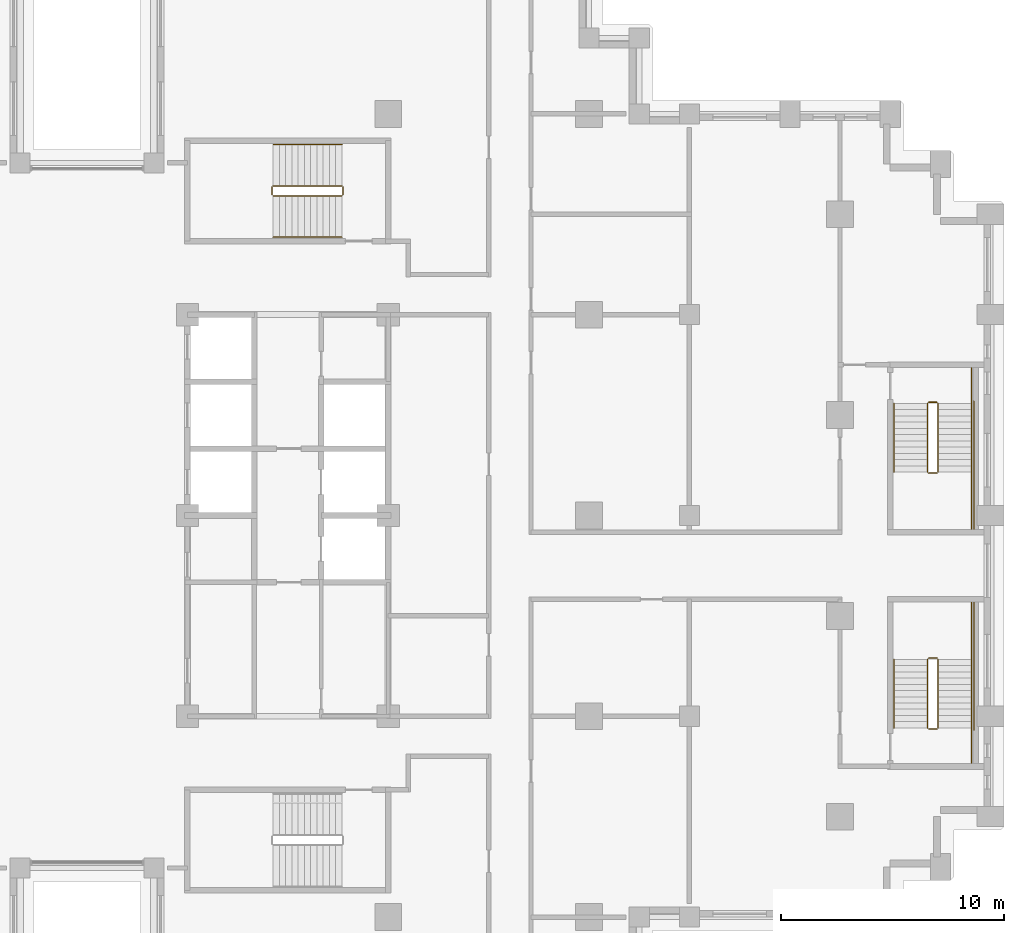
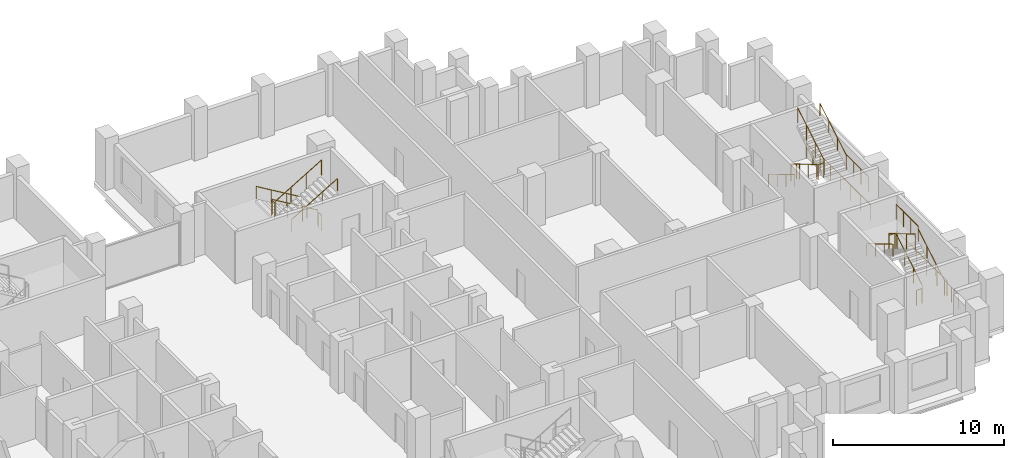
# One storey, part 15 of 15: 3 railings.
"""IFC4 building model written with IfcOpenShell, lengths in metres."""

from ifc_helpers import new_model, si_unit, direction, frame, origin, origin_2d, place, context, subcontext, project, spatial, circle, extrude, material, type_object, element, save


model = new_model("IFC4")

# Units and contexts
model_context = context("Model", 3, precision=1e-05, world=origin(), true_north=direction((0.0, 1.0)))
body_context = subcontext(model_context, "Body", "Model", "MODEL_VIEW")
ifc_project = project(units=[si_unit("LENGTHUNIT", "METRE"), si_unit("AREAUNIT", "SQUARE_METRE"), si_unit("VOLUMEUNIT", "CUBIC_METRE"), si_unit("PLANEANGLEUNIT", "RADIAN"), si_unit("MASSUNIT", "GRAM", prefix="KILO")], contexts=[model_context])

# Site, building, storey
site_placement = place(None, origin())
site = spatial("IfcSite", under=ifc_project, at=site_placement, CompositionType="ELEMENT")
building_placement = place(site_placement, origin())
building = spatial("IfcBuilding", under=site, at=building_placement, Name="Corbelhall Arena Tower", CompositionType="ELEMENT")
storey_placement = place(building_placement, frame((0.0, 0.0, 96.0)))
storey = spatial("IfcBuildingStorey", under=building, at=storey_placement, Name="L16", CompositionType="ELEMENT", Elevation=96.0)

# Railings
ifc_material = material(Name="Steel ASTM A500 Gr C", Category="steel")
railing_type = type_object("IfcRailingType", Name="IN-GD-1100", PredefinedType="GUARDRAIL", material=ifc_material)
railing_1_placement = place(storey_placement, frame((11.425048828125, 14.77490234375, 0.166748046875)))
element("IfcRailing", 1, at=railing_1_placement, inside=storey, type_object=railing_type, Name="L16 ST3 stair guards and handrails", PredefinedType="GUARDRAIL", context=body_context, shape_type="SweptSolid", body=[
    extrude(circle(Radius=0.02392578125, at=origin_2d()), frame((0.0, 0.0, 1.076171875), z_axis=(-0.859308565015, 0.0, 0.511457515432), x_axis=(0.0, -1.0, 0.0)), (0.0, 0.0, 1.0), 3.58447265625),
    extrude(circle(Radius=0.02392578125, at=origin_2d()), frame((-3.130126953125, -0.0498046875, 2.9091796875), z_axis=(0.0, -1.0, 0.0), x_axis=(1.0, 0.0, 0.0)), (0.0, 0.0, 1.0), 0.35009765625),
    extrude(circle(Radius=0.02392578125, at=origin_2d()), frame((-3.080078125, -0.449951171875, 3.076171875), z_axis=(0.859308565015, 0.0, 0.511457515432), x_axis=(0.0, 1.0, 0.0)), (0.0, 0.0, 1.0), 3.58447265625),
    extrude(circle(Radius=0.02392578125, at=origin_2d()), frame((0.050048828125, -0.0498046875, 0.9091796875), z_axis=(0.0, -1.0, 0.0), x_axis=(1.0, 0.0, 0.0)), (0.0, 0.0, 1.0), 0.35009765625),
    extrude(circle(Radius=0.02392578125, at=origin_2d()), frame((0.0, 1.85009765625, 0.8759765625), z_axis=(-0.859308565015, 0.0, 0.511457515432), x_axis=(0.0, -1.0, 0.0)), (0.0, 0.0, 1.0), 3.58447265625),
    extrude(circle(Radius=0.02392578125, at=origin_2d()), frame((-3.080078125, -2.2998046875, 2.8759765625), z_axis=(0.859308565015, 0.0, 0.511457515432), x_axis=(0.0, 1.0, 0.0)), (0.0, 0.0, 1.0), 3.58447265625),
    extrude(circle(Radius=0.02099609375, at=origin_2d()), origin(), (0.0, 0.0, 1.0), 1.052001953125),
    extrude(circle(Radius=0.02099609375, at=origin_2d()), frame((-1.026611328125, 0.0, 0.611083984375)), (0.0, 0.0, 1.0), 1.052001953125),
    extrude(circle(Radius=0.02099609375, at=origin_2d()), frame((-2.053466796875, 0.0, 1.22216796875)), (0.0, 0.0, 1.0), 1.052001953125),
    extrude(circle(Radius=0.02099609375, at=origin_2d()), frame((-3.080078125, 0.0, 1.833251953125)), (0.0, 0.0, 1.0), 1.052001953125),
    extrude(circle(Radius=0.02099609375, at=origin_2d()), frame((-3.130126953125, -0.0498046875, 1.833251953125)), (0.0, 0.0, 1.0), 1.052001953125),
    extrude(circle(Radius=0.02099609375, at=origin_2d()), frame((-3.130126953125, -0.39990234375, 1.833251953125)), (0.0, 0.0, 1.0), 1.052001953125),
    extrude(circle(Radius=0.02099609375, at=origin_2d()), frame((-3.080078125, -0.449951171875, 2.0)), (0.0, 0.0, 1.0), 1.052001953125),
    extrude(circle(Radius=0.02099609375, at=origin_2d()), frame((-2.053466796875, -0.449951171875, 2.611083984375)), (0.0, 0.0, 1.0), 1.052001953125),
    extrude(circle(Radius=0.02099609375, at=origin_2d()), frame((-1.026611328125, -0.449951171875, 3.22216796875)), (0.0, 0.0, 1.0), 1.052001953125),
    extrude(circle(Radius=0.02099609375, at=origin_2d()), frame((0.0, -0.449951171875, 3.833251953125)), (0.0, 0.0, 1.0), 1.052001953125),
    extrude(circle(Radius=0.02099609375, at=origin_2d()), frame((0.050048828125, -0.0498046875, -0.166748046875)), (0.0, 0.0, 1.0), 1.052001953125),
    extrude(circle(Radius=0.02099609375, at=origin_2d()), frame((0.050048828125, -0.39990234375, -0.166748046875)), (0.0, 0.0, 1.0), 1.052001953125),
    extrude(circle(Radius=0.02099609375, at=origin_2d()), frame((0.0, 1.85009765625, 0.0)), (0.0, 0.0, 1.0), 0.851806640625),
    extrude(circle(Radius=0.02099609375, at=origin_2d()), frame((-1.026611328125, 1.85009765625, 0.611083984375)), (0.0, 0.0, 1.0), 0.851806640625),
    extrude(circle(Radius=0.02099609375, at=origin_2d()), frame((-2.053466796875, 1.85009765625, 1.22216796875)), (0.0, 0.0, 1.0), 0.851806640625),
    extrude(circle(Radius=0.02099609375, at=origin_2d()), frame((-3.080078125, 1.85009765625, 1.833251953125)), (0.0, 0.0, 1.0), 0.851806640625),
    extrude(circle(Radius=0.02099609375, at=origin_2d()), frame((-3.080078125, -2.2998046875, 2.0)), (0.0, 0.0, 1.0), 0.851806640625),
    extrude(circle(Radius=0.02099609375, at=origin_2d()), frame((-2.053466796875, -2.2998046875, 2.611083984375)), (0.0, 0.0, 1.0), 0.851806640625),
    extrude(circle(Radius=0.02099609375, at=origin_2d()), frame((-1.026611328125, -2.2998046875, 3.22216796875)), (0.0, 0.0, 1.0), 0.851806640625),
    extrude(circle(Radius=0.02099609375, at=origin_2d()), frame((0.0, -2.2998046875, 3.833251953125)), (0.0, 0.0, 1.0), 0.851806640625),
])
railing_2_placement = place(storey_placement, frame((38.14990234375, -9.52490234375, 0.166748046875)))
element("IfcRailing", 2, at=railing_2_placement, inside=storey, type_object=railing_type, Name="L16 SD1 stair guards and handrails", PredefinedType="GUARDRAIL", context=body_context, shape_type="SweptSolid", body=[
    extrude(circle(Radius=0.02392578125, at=origin_2d()), frame((0.0, 0.0, 1.076171875), z_axis=(0.0, 0.859290745958, 0.51148745235), x_axis=(-1.0, 0.0, 0.0)), (0.0, 0.0, 1.0), 3.584228515625),
    extrude(circle(Radius=0.02392578125, at=origin_2d()), frame((-0.0498046875, 3.1298828125, 2.9091796875), z_axis=(-1.0, 0.0, 0.0), x_axis=(0.0, -1.0, 0.0)), (0.0, 0.0, 1.0), 0.375),
    extrude(circle(Radius=0.02392578125, at=origin_2d()), frame((1.5, 3.079833984375, 2.9091796875), z_axis=(0.0, 1.0, 0.0), x_axis=(-1.0, 0.0, 0.0)), (0.0, 0.0, 1.0), 2.570068359375),
    extrude(circle(Radius=0.02392578125, at=origin_2d()), frame((-0.474853515625, 3.079833984375, 3.076171875), z_axis=(0.0, -0.859290745958, 0.51148745235), x_axis=(1.0, 0.0, 0.0)), (0.0, 0.0, 1.0), 3.584228515625),
    extrude(circle(Radius=0.02392578125, at=origin_2d()), frame((-0.0498046875, -0.050048828125, 0.9091796875), z_axis=(-1.0, 0.0, 0.0), x_axis=(0.0, -1.0, 0.0)), (0.0, 0.0, 1.0), 0.375),
    extrude(circle(Radius=0.02392578125, at=origin_2d()), frame((1.5, -1.60009765625, 0.9091796875), z_axis=(0.0, 1.0, 0.0), x_axis=(-1.0, 0.0, 0.0)), (0.0, 0.0, 1.0), 1.60009765625),
    extrude(circle(Radius=0.02392578125, at=origin_2d()), frame((1.60009765625, -0.10009765625, 0.9091796875), z_axis=(0.0, 1.0, 0.0), x_axis=(-1.0, 0.0, 0.0)), (0.0, 0.0, 1.0), 5.85009765625),
    extrude(circle(Radius=0.02392578125, at=origin_2d()), frame((1.5, 0.0, 0.8759765625), z_axis=(0.0, 0.859290745958, 0.51148745235), x_axis=(-1.0, 0.0, 0.0)), (0.0, 0.0, 1.0), 3.584228515625),
    extrude(circle(Radius=0.02392578125, at=origin_2d()), frame((-1.974853515625, 3.079833984375, 2.8759765625), z_axis=(0.0, -0.859290745958, 0.51148745235), x_axis=(1.0, 0.0, 0.0)), (0.0, 0.0, 1.0), 3.584228515625),
    extrude(circle(Radius=0.02099609375, at=origin_2d()), origin(), (0.0, 0.0, 1.0), 1.052001953125),
    extrude(circle(Radius=0.02099609375, at=origin_2d()), frame((0.0, 1.026611328125, 0.611083984375)), (0.0, 0.0, 1.0), 1.052001953125),
    extrude(circle(Radius=0.02099609375, at=origin_2d()), frame((0.0, 2.05322265625, 1.22216796875)), (0.0, 0.0, 1.0), 1.052001953125),
    extrude(circle(Radius=0.02099609375, at=origin_2d()), frame((0.0, 3.079833984375, 1.833251953125)), (0.0, 0.0, 1.0), 1.052001953125),
    extrude(circle(Radius=0.02099609375, at=origin_2d()), frame((-0.0498046875, 3.1298828125, 1.833251953125)), (0.0, 0.0, 1.0), 1.052001953125),
    extrude(circle(Radius=0.02099609375, at=origin_2d()), frame((-0.4248046875, 3.1298828125, 1.833251953125)), (0.0, 0.0, 1.0), 1.052001953125),
    extrude(circle(Radius=0.02099609375, at=origin_2d()), frame((1.5, 3.079833984375, 1.833251953125)), (0.0, 0.0, 1.0), 1.052001953125),
    extrude(circle(Radius=0.02099609375, at=origin_2d()), frame((1.5, 3.9365234375, 1.833251953125)), (0.0, 0.0, 1.0), 1.052001953125),
    extrude(circle(Radius=0.02099609375, at=origin_2d()), frame((1.5, 4.793212890625, 1.833251953125)), (0.0, 0.0, 1.0), 1.052001953125),
    extrude(circle(Radius=0.02099609375, at=origin_2d()), frame((1.5, 5.64990234375, 1.833251953125)), (0.0, 0.0, 1.0), 1.052001953125),
    extrude(circle(Radius=0.02099609375, at=origin_2d()), frame((-0.474853515625, 3.079833984375, 2.0)), (0.0, 0.0, 1.0), 1.052001953125),
    extrude(circle(Radius=0.02099609375, at=origin_2d()), frame((-0.474853515625, 2.05322265625, 2.611083984375)), (0.0, 0.0, 1.0), 1.052001953125),
    extrude(circle(Radius=0.02099609375, at=origin_2d()), frame((-0.474853515625, 1.026611328125, 3.22216796875)), (0.0, 0.0, 1.0), 1.052001953125),
    extrude(circle(Radius=0.02099609375, at=origin_2d()), frame((-0.474853515625, 0.0, 3.833251953125)), (0.0, 0.0, 1.0), 1.052001953125),
    extrude(circle(Radius=0.02099609375, at=origin_2d()), frame((-0.0498046875, -0.050048828125, -0.166748046875)), (0.0, 0.0, 1.0), 1.052001953125),
    extrude(circle(Radius=0.02099609375, at=origin_2d()), frame((-0.4248046875, -0.050048828125, -0.166748046875)), (0.0, 0.0, 1.0), 1.052001953125),
    extrude(circle(Radius=0.02099609375, at=origin_2d()), frame((1.5, -1.60009765625, -0.166748046875)), (0.0, 0.0, 1.0), 1.052001953125),
    extrude(circle(Radius=0.02099609375, at=origin_2d()), frame((1.5, -0.800048828125, -0.166748046875)), (0.0, 0.0, 1.0), 1.052001953125),
    extrude(circle(Radius=0.02099609375, at=origin_2d()), frame((1.5, 0.0, -0.166748046875)), (0.0, 0.0, 1.0), 1.052001953125),
    extrude(circle(Radius=0.02099609375, at=origin_2d()), frame((1.60009765625, -0.10009765625, -0.166748046875)), (0.0, 0.0, 1.0), 1.052001953125),
    extrude(circle(Radius=0.02099609375, at=origin_2d()), frame((1.60009765625, 1.06982421875, -0.166748046875)), (0.0, 0.0, 1.0), 1.052001953125),
    extrude(circle(Radius=0.02099609375, at=origin_2d()), frame((1.60009765625, 2.239990234375, -0.166748046875)), (0.0, 0.0, 1.0), 1.052001953125),
    extrude(circle(Radius=0.02099609375, at=origin_2d()), frame((1.60009765625, 3.409912109375, -0.166748046875)), (0.0, 0.0, 1.0), 1.052001953125),
    extrude(circle(Radius=0.02099609375, at=origin_2d()), frame((1.60009765625, 4.580078125, -0.166748046875)), (0.0, 0.0, 1.0), 1.052001953125),
    extrude(circle(Radius=0.02099609375, at=origin_2d()), frame((1.60009765625, 5.75, -0.166748046875)), (0.0, 0.0, 1.0), 1.052001953125),
    extrude(circle(Radius=0.02099609375, at=origin_2d()), frame((1.5, 0.0, 0.0)), (0.0, 0.0, 1.0), 0.851806640625),
    extrude(circle(Radius=0.02099609375, at=origin_2d()), frame((1.5, 1.026611328125, 0.611083984375)), (0.0, 0.0, 1.0), 0.851806640625),
    extrude(circle(Radius=0.02099609375, at=origin_2d()), frame((1.5, 2.05322265625, 1.22216796875)), (0.0, 0.0, 1.0), 0.851806640625),
    extrude(circle(Radius=0.02099609375, at=origin_2d()), frame((-1.974853515625, 3.079833984375, 2.0)), (0.0, 0.0, 1.0), 0.851806640625),
    extrude(circle(Radius=0.02099609375, at=origin_2d()), frame((-1.974853515625, 2.05322265625, 2.611083984375)), (0.0, 0.0, 1.0), 0.851806640625),
    extrude(circle(Radius=0.02099609375, at=origin_2d()), frame((-1.974853515625, 1.026611328125, 3.22216796875)), (0.0, 0.0, 1.0), 0.851806640625),
    extrude(circle(Radius=0.02099609375, at=origin_2d()), frame((-1.974853515625, 0.0, 3.833251953125)), (0.0, 0.0, 1.0), 0.851806640625),
])
railing_3_placement = place(storey_placement, frame((37.675048828125, 5.02490234375, 0.166748046875)))
element("IfcRailing", 3, at=railing_3_placement, inside=storey, type_object=railing_type, Name="L16 SD2 stair guards and handrails", PredefinedType="GUARDRAIL", context=body_context, shape_type="SweptSolid", body=[
    extrude(circle(Radius=0.02392578125, at=origin_2d()), frame((0.0, 0.0, 1.076171875), z_axis=(0.0, -0.859290745958, 0.51148745235), x_axis=(1.0, 0.0, 0.0)), (0.0, 0.0, 1.0), 3.584228515625),
    extrude(circle(Radius=0.02392578125, at=origin_2d()), frame((0.050048828125, -3.1298828125, 2.9091796875), z_axis=(1.0, 0.0, 0.0), x_axis=(0.0, 1.0, 0.0)), (0.0, 0.0, 1.0), 0.375),
    extrude(circle(Radius=0.02392578125, at=origin_2d()), frame((1.974853515625, -3.079833984375, 2.9091796875), z_axis=(0.0, -1.0, 0.0), x_axis=(1.0, 0.0, 0.0)), (0.0, 0.0, 1.0), 2.570068359375),
    extrude(circle(Radius=0.02392578125, at=origin_2d()), frame((0.474853515625, -3.079833984375, 3.076171875), z_axis=(0.0, 0.859290745958, 0.51148745235), x_axis=(-1.0, 0.0, 0.0)), (0.0, 0.0, 1.0), 3.584228515625),
    extrude(circle(Radius=0.02392578125, at=origin_2d()), frame((0.050048828125, 0.050048828125, 0.9091796875), z_axis=(1.0, 0.0, 0.0), x_axis=(0.0, 1.0, 0.0)), (0.0, 0.0, 1.0), 0.375),
    extrude(circle(Radius=0.02392578125, at=origin_2d()), frame((1.974853515625, 1.60009765625, 0.9091796875), z_axis=(0.0, -1.0, 0.0), x_axis=(1.0, 0.0, 0.0)), (0.0, 0.0, 1.0), 1.60009765625),
    extrude(circle(Radius=0.02392578125, at=origin_2d()), frame((2.074951171875, 0.10009765625, 0.9091796875), z_axis=(0.0, -1.0, 0.0), x_axis=(1.0, 0.0, 0.0)), (0.0, 0.0, 1.0), 5.85009765625),
    extrude(circle(Radius=0.02392578125, at=origin_2d()), frame((-1.5, 0.0, 0.8759765625), z_axis=(0.0, -0.859290745958, 0.51148745235), x_axis=(1.0, 0.0, 0.0)), (0.0, 0.0, 1.0), 3.584228515625),
    extrude(circle(Radius=0.02392578125, at=origin_2d()), frame((1.974853515625, -3.079833984375, 2.8759765625), z_axis=(0.0, 0.859290745958, 0.51148745235), x_axis=(-1.0, 0.0, 0.0)), (0.0, 0.0, 1.0), 3.584228515625),
    extrude(circle(Radius=0.02099609375, at=origin_2d()), origin(), (0.0, 0.0, 1.0), 1.052001953125),
    extrude(circle(Radius=0.02099609375, at=origin_2d()), frame((0.0, -1.026611328125, 0.611083984375)), (0.0, 0.0, 1.0), 1.052001953125),
    extrude(circle(Radius=0.02099609375, at=origin_2d()), frame((0.0, -2.05322265625, 1.22216796875)), (0.0, 0.0, 1.0), 1.052001953125),
    extrude(circle(Radius=0.02099609375, at=origin_2d()), frame((0.0, -3.079833984375, 1.833251953125)), (0.0, 0.0, 1.0), 1.052001953125),
    extrude(circle(Radius=0.02099609375, at=origin_2d()), frame((0.050048828125, -3.1298828125, 1.833251953125)), (0.0, 0.0, 1.0), 1.052001953125),
    extrude(circle(Radius=0.02099609375, at=origin_2d()), frame((0.425048828125, -3.1298828125, 1.833251953125)), (0.0, 0.0, 1.0), 1.052001953125),
    extrude(circle(Radius=0.02099609375, at=origin_2d()), frame((1.974853515625, -3.079833984375, 1.833251953125)), (0.0, 0.0, 1.0), 1.052001953125),
    extrude(circle(Radius=0.02099609375, at=origin_2d()), frame((1.974853515625, -3.9365234375, 1.833251953125)), (0.0, 0.0, 1.0), 1.052001953125),
    extrude(circle(Radius=0.02099609375, at=origin_2d()), frame((1.974853515625, -4.793212890625, 1.833251953125)), (0.0, 0.0, 1.0), 1.052001953125),
    extrude(circle(Radius=0.02099609375, at=origin_2d()), frame((1.974853515625, -5.64990234375, 1.833251953125)), (0.0, 0.0, 1.0), 1.052001953125),
    extrude(circle(Radius=0.02099609375, at=origin_2d()), frame((0.474853515625, -3.079833984375, 2.0)), (0.0, 0.0, 1.0), 1.052001953125),
    extrude(circle(Radius=0.02099609375, at=origin_2d()), frame((0.474853515625, -2.05322265625, 2.611083984375)), (0.0, 0.0, 1.0), 1.052001953125),
    extrude(circle(Radius=0.02099609375, at=origin_2d()), frame((0.474853515625, -1.026611328125, 3.22216796875)), (0.0, 0.0, 1.0), 1.052001953125),
    extrude(circle(Radius=0.02099609375, at=origin_2d()), frame((0.474853515625, 0.0, 3.833251953125)), (0.0, 0.0, 1.0), 1.052001953125),
    extrude(circle(Radius=0.02099609375, at=origin_2d()), frame((0.050048828125, 0.050048828125, -0.166748046875)), (0.0, 0.0, 1.0), 1.052001953125),
    extrude(circle(Radius=0.02099609375, at=origin_2d()), frame((0.425048828125, 0.050048828125, -0.166748046875)), (0.0, 0.0, 1.0), 1.052001953125),
    extrude(circle(Radius=0.02099609375, at=origin_2d()), frame((1.974853515625, 1.60009765625, -0.166748046875)), (0.0, 0.0, 1.0), 1.052001953125),
    extrude(circle(Radius=0.02099609375, at=origin_2d()), frame((1.974853515625, 0.800048828125, -0.166748046875)), (0.0, 0.0, 1.0), 1.052001953125),
    extrude(circle(Radius=0.02099609375, at=origin_2d()), frame((1.974853515625, 0.0, -0.166748046875)), (0.0, 0.0, 1.0), 1.052001953125),
    extrude(circle(Radius=0.02099609375, at=origin_2d()), frame((2.074951171875, 0.10009765625, -0.166748046875)), (0.0, 0.0, 1.0), 1.052001953125),
    extrude(circle(Radius=0.02099609375, at=origin_2d()), frame((2.074951171875, -1.06982421875, -0.166748046875)), (0.0, 0.0, 1.0), 1.052001953125),
    extrude(circle(Radius=0.02099609375, at=origin_2d()), frame((2.074951171875, -2.239990234375, -0.166748046875)), (0.0, 0.0, 1.0), 1.052001953125),
    extrude(circle(Radius=0.02099609375, at=origin_2d()), frame((2.074951171875, -3.409912109375, -0.166748046875)), (0.0, 0.0, 1.0), 1.052001953125),
    extrude(circle(Radius=0.02099609375, at=origin_2d()), frame((2.074951171875, -4.580078125, -0.166748046875)), (0.0, 0.0, 1.0), 1.052001953125),
    extrude(circle(Radius=0.02099609375, at=origin_2d()), frame((2.074951171875, -5.75, -0.166748046875)), (0.0, 0.0, 1.0), 1.052001953125),
    extrude(circle(Radius=0.02099609375, at=origin_2d()), frame((-1.5, 0.0, 0.0)), (0.0, 0.0, 1.0), 0.851806640625),
    extrude(circle(Radius=0.02099609375, at=origin_2d()), frame((-1.5, -1.026611328125, 0.611083984375)), (0.0, 0.0, 1.0), 0.851806640625),
    extrude(circle(Radius=0.02099609375, at=origin_2d()), frame((-1.5, -2.05322265625, 1.22216796875)), (0.0, 0.0, 1.0), 0.851806640625),
    extrude(circle(Radius=0.02099609375, at=origin_2d()), frame((-1.5, -3.079833984375, 1.833251953125)), (0.0, 0.0, 1.0), 0.851806640625),
    extrude(circle(Radius=0.02099609375, at=origin_2d()), frame((1.974853515625, -3.079833984375, 2.0)), (0.0, 0.0, 1.0), 0.851806640625),
    extrude(circle(Radius=0.02099609375, at=origin_2d()), frame((1.974853515625, -2.05322265625, 2.611083984375)), (0.0, 0.0, 1.0), 0.851806640625),
    extrude(circle(Radius=0.02099609375, at=origin_2d()), frame((1.974853515625, -1.026611328125, 3.22216796875)), (0.0, 0.0, 1.0), 0.851806640625),
    extrude(circle(Radius=0.02099609375, at=origin_2d()), frame((1.974853515625, 0.0, 3.833251953125)), (0.0, 0.0, 1.0), 0.851806640625),
])

save(model, "model.ifc")
